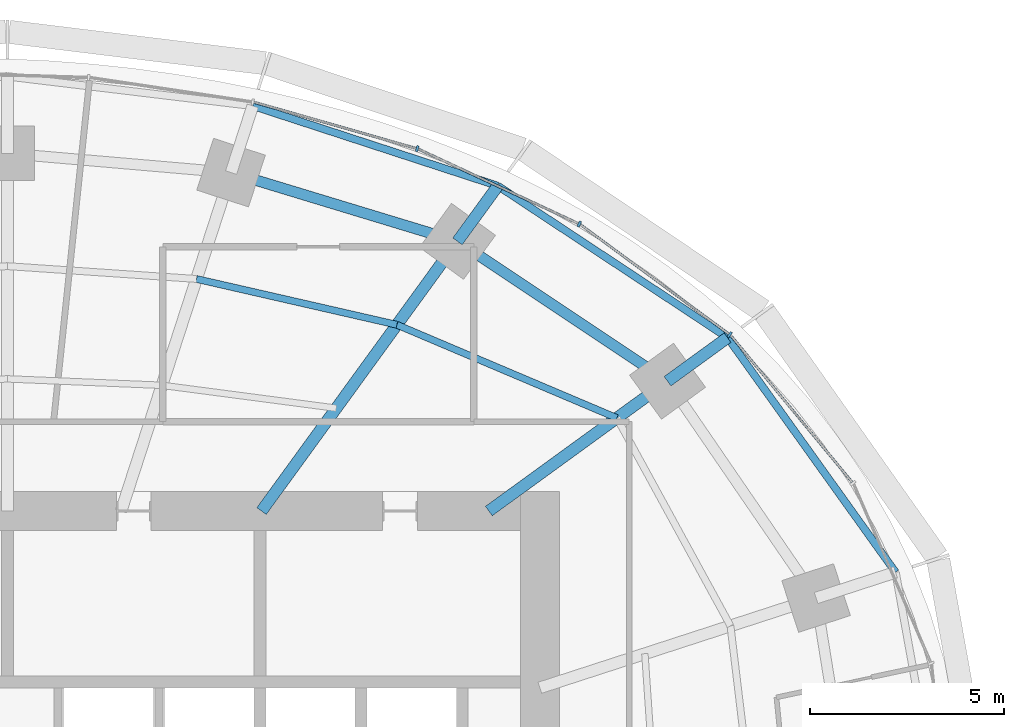
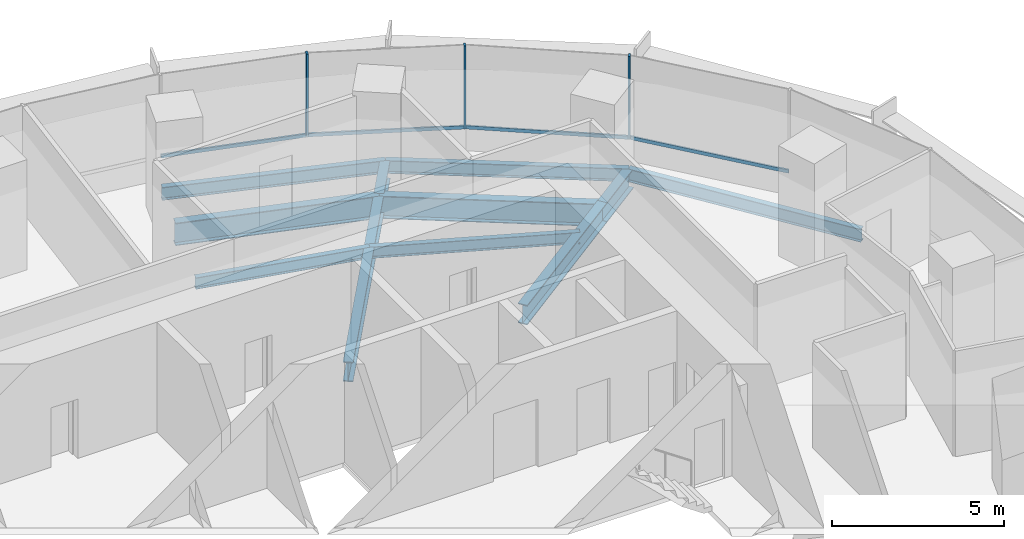
# One storey, part 8 of 14: 11 beams, 7 members, 2 elements without a shape of their own.
"""IFC4 building model written with IfcOpenShell, lengths in metres."""

from ifc_helpers import new_model, si_unit, direction, frame, origin, origin_2d, place, context, subcontext, project, spatial, rectangle, i_section, extrude, material, material_profile, profile_set, type_object, element, aggregate, save


model = new_model("IFC4")

# Units and contexts
model_context = context("Model", 3, precision=1e-05, world=origin(), true_north=direction((0.0, 1.0)))
body_context = subcontext(model_context, "Body", "Model", "MODEL_VIEW")
ifc_project = project(units=[si_unit("LENGTHUNIT", "METRE"), si_unit("AREAUNIT", "SQUARE_METRE"), si_unit("VOLUMEUNIT", "CUBIC_METRE"), si_unit("PLANEANGLEUNIT", "RADIAN"), si_unit("MASSUNIT", "GRAM", prefix="KILO")], contexts=[model_context])

# Site, building, storey
site_placement = place(None, origin())
site = spatial("IfcSite", under=ifc_project, at=site_placement, CompositionType="ELEMENT")
building_placement = place(site_placement, origin())
building = spatial("IfcBuilding", under=site, at=building_placement, Name="Marramba Exchange Tower", CompositionType="ELEMENT")
storey_placement = place(building_placement, frame((0.0, 0.0, 176.0)))
storey = spatial("IfcBuildingStorey", under=building, at=storey_placement, Name="L42", CompositionType="ELEMENT", Elevation=176.0)

# Beams
ifc_material_1 = material(Name="Steel AS/NZS 3679.2 grade 300", Category="steel")
ifc_material_profile_1 = material_profile(ifc_material_1, i_section(OverallWidth=0.300048828125, OverallDepth=0.699951171875, WebThickness=0.010009765625, FlangeThickness=0.031982421875, at=origin_2d()), Name="700WB173")
ifc_profile_set_1 = profile_set([ifc_material_profile_1], Name="Steel AS/NZS 3679.2 grade 300")
beam_type_1 = type_object("IfcBeamType", Name="Cantilever girder 700WB173", PredefinedType="BEAM", material=ifc_profile_set_1)
beam_1_placement = place(storey_placement, frame((16.98583984375, 12.3408203125, -0.510009765625), z_axis=(0.808962750283, 0.587859905636, 0.0), x_axis=(-0.587859905636, 0.808962750283, 0.0)))
element("IfcBeam", 1, at=beam_1_placement, inside=storey, type_object=beam_type_1, Name="Cantilever girder L42 TC03", PredefinedType="BEAM", context=body_context, shape_type="SweptSolid", body=[
    extrude(i_section(OverallWidth=0.300048828125, OverallDepth=0.699951171875, WebThickness=0.010009765625, FlangeThickness=0.031982421875, at=origin_2d()), origin(), (0.0, 0.0, 1.0), 1.9091796875),
])
beam_2_placement = place(storey_placement, frame((11.581298828125, 15.9404296875, -0.510009765625), z_axis=(0.587817766387, 0.808993370504, 0.0), x_axis=(-0.808993370504, 0.587817766387, 0.0)))
element("IfcBeam", 2, at=beam_2_placement, inside=storey, type_object=beam_type_1, Name="Cantilever girder L42 TC04", PredefinedType="BEAM", context=body_context, shape_type="SweptSolid", body=[
    extrude(i_section(OverallWidth=0.300048828125, OverallDepth=0.699951171875, WebThickness=0.010009765625, FlangeThickness=0.031982421875, at=origin_2d()), origin(), (0.0, 0.0, 1.0), 1.763916015625),
])
ifc_material_2 = material(Name="Steel AS/NZS 3679.1 grade 300", Category="steel")
ifc_material_profile_2 = material_profile(ifc_material_2, i_section(OverallWidth=0.177978515625, OverallDepth=0.406005859375, WebThickness=0.0078125, FlangeThickness=0.0126953125, FilletRadius=0.011474609375, at=origin_2d()), Name="410UB59.7")
ifc_profile_set_2 = profile_set([ifc_material_profile_2], Name="Steel AS/NZS 3679.1 grade 300")
beam_type_2 = type_object("IfcBeamType", Name="Floor joist 410UB59.7", PredefinedType="JOIST", material=ifc_profile_set_2)
beam_3_placement = place(storey_placement, frame((15.682373046875, 11.393798828125, -0.363037109375), z_axis=(-0.920674336375, 0.390331610738, 0.0), x_axis=(-0.390331610738, -0.920674336375, 0.0)))
element("IfcBeam", 3, at=beam_3_placement, inside=storey, type_object=beam_type_2, Name="Joist L42 bay 03 row 2", PredefinedType="JOIST", context=body_context, shape_type="SweptSolid", body=[
    extrude(i_section(OverallWidth=0.177978515625, OverallDepth=0.406005859375, WebThickness=0.0078125, FlangeThickness=0.0126953125, FilletRadius=0.011474609375, at=origin_2d()), origin(), (0.0, 0.0, 1.0), 6.1484375),
])
beam_4_placement = place(storey_placement, frame((10.021728515625, 13.793701171875, -0.363037109375), z_axis=(-0.974859652292, 0.222819788916, 0.0), x_axis=(-0.222819788916, -0.974859652292, 0.0)))
element("IfcBeam", 4, at=beam_4_placement, inside=storey, type_object=beam_type_2, Name="Joist L42 bay 04 row 2", PredefinedType="JOIST", context=body_context, shape_type="SweptSolid", body=[
    extrude(i_section(OverallWidth=0.177978515625, OverallDepth=0.406005859375, WebThickness=0.0078125, FlangeThickness=0.0126953125, FilletRadius=0.011474609375, at=origin_2d()), origin(), (0.0, 0.0, 1.0), 5.2900390625),
])

# Curtain wall, members
ifc_material_3 = material(Name="Aluminium framing, bronze anodised", Category="aluminium")
curtain_wall_type = type_object("IfcCurtainWallType", Name="Office ribbon curtain wall", PredefinedType="USERDEFINED", material=ifc_material_3)
curtain_wall_1_placement = place(storey_placement, origin())
curtain_wall_1 = element("IfcCurtainWall", 5, at=curtain_wall_1_placement, inside=storey, type_object=curtain_wall_type, Name="Curtain wall CW4 L42 F01-F05", ObjectType="RIBBON CURTAIN WALL", PredefinedType="USERDEFINED")
ifc_material_4 = material(Name="Aluminium mullion, bronze anodised", Category="aluminium")
ifc_material_profile_3 = material_profile(ifc_material_4, rectangle(XDim=0.159912109375, YDim=0.06005859375, at=origin_2d()), Name="CW4 mullion 60x160")
ifc_profile_set_3 = profile_set([ifc_material_profile_3], Name="Aluminium mullion, bronze anodised")
member_type_1 = type_object("IfcMemberType", Name="Office ribbon curtain wall mullion", PredefinedType="MULLION", material=ifc_profile_set_3)
member_1_placement = place(storey_placement, frame((18.587158203125, 13.53955078125, 0.800048828125), z_axis=(0.0, 0.0, 1.0), x_axis=(-0.593441317494, -0.804877259395, 0.0)))
member_1 = element("IfcMember", 6, at=member_1_placement, type_object=member_type_1, Name="CW4 mullion 1", PredefinedType="MULLION", context=body_context, shape_type="SweptSolid", body=[
    extrude(rectangle(XDim=0.159912109375, YDim=0.06005859375, at=origin_2d()), origin(), (0.0, 0.0, 1.0), 2.93994140625),
])
member_2_placement = place(storey_placement, frame((14.7158203125, 16.386474609375, 0.800048828125), z_axis=(0.0, 0.0, 1.0), x_axis=(-0.422133006189, -0.906533907301, 0.0)))
member_2 = element("IfcMember", 7, at=member_2_placement, type_object=member_type_1, Name="CW4 mullion 1", PredefinedType="MULLION", context=body_context, shape_type="SweptSolid", body=[
    extrude(rectangle(XDim=0.159912109375, YDim=0.06005859375, at=origin_2d()), origin(), (0.0, 0.0, 1.0), 2.93994140625),
])

# Curtain wall, member
curtain_wall_2_placement = place(storey_placement, origin())
curtain_wall_2 = element("IfcCurtainWall", 8, at=curtain_wall_2_placement, inside=storey, type_object=curtain_wall_type, Name="Curtain wall CW4 L42 F06-F10", ObjectType="RIBBON CURTAIN WALL", PredefinedType="USERDEFINED")
member_3_placement = place(storey_placement, frame((10.54541015625, 18.3232421875, 0.800048828125), z_axis=(0.0, 0.0, 1.0), x_axis=(-0.274248164656, -0.961658954195, 0.0)))
member_3 = element("IfcMember", 9, at=member_3_placement, type_object=member_type_1, Name="CW4 mullion 1", PredefinedType="MULLION", context=body_context, shape_type="SweptSolid", body=[
    extrude(rectangle(XDim=0.159912109375, YDim=0.06005859375, at=origin_2d()), origin(), (0.0, 0.0, 1.0), 2.93994140625),
])

# Member
ifc_material_5 = material(Name="Aluminium transom, bronze anodised", Category="aluminium")
ifc_material_profile_4 = material_profile(ifc_material_5, rectangle(XDim=0.06005859375, YDim=0.1201171875, at=origin_2d()), Name="CW4 transom 60x120")
ifc_profile_set_4 = profile_set([ifc_material_profile_4], Name="Aluminium transom, bronze anodised")
member_type_2 = type_object("IfcMemberType", Name="Office ribbon curtain wall transom", PredefinedType="USERDEFINED", material=ifc_profile_set_4)
member_4_placement = place(storey_placement, frame((21.73779296875, 9.74169921875, 0.830078125), z_axis=(-0.637375191043, 0.770553609973, 0.0), x_axis=(-0.770553609973, -0.637375191043, 0.0)))
member_4 = element("IfcMember", 10, at=member_4_placement, type_object=member_type_2, Name="CW4 sill transom", ObjectType="TRANSOM", PredefinedType="USERDEFINED", context=body_context, shape_type="SweptSolid", body=[
    extrude(rectangle(XDim=0.06005859375, YDim=0.1201171875, at=origin_2d()), origin(), (0.0, 0.0, 1.0), 4.905517578125),
])

member_5_placement = place(storey_placement, frame((18.56298828125, 13.557373046875, 0.830078125), z_axis=(-0.804874780157, 0.593444680039, 0.0), x_axis=(-0.593444680039, -0.804874780157, 0.0)))
member_5 = element("IfcMember", 11, at=member_5_placement, type_object=member_type_2, Name="CW4 sill transom", ObjectType="TRANSOM", PredefinedType="USERDEFINED", context=body_context, shape_type="SweptSolid", body=[
    extrude(rectangle(XDim=0.06005859375, YDim=0.1201171875, at=origin_2d()), origin(), (0.0, 0.0, 1.0), 4.745849609375),
])

member_6_placement = place(storey_placement, frame((14.688720703125, 16.399169921875, 0.830078125), z_axis=(-0.906548348139, 0.422101992989, 0.0), x_axis=(-0.422101992989, -0.906548348139, 0.0)))
member_6 = element("IfcMember", 12, at=member_6_placement, type_object=member_type_2, Name="CW4 sill transom", ObjectType="TRANSOM", PredefinedType="USERDEFINED", context=body_context, shape_type="SweptSolid", body=[
    extrude(rectangle(XDim=0.06005859375, YDim=0.1201171875, at=origin_2d()), origin(), (0.0, 0.0, 1.0), 4.53857421875),
])

aggregate(curtain_wall_1, [member_4, member_1, member_5, member_2, member_6])

member_7_placement = place(storey_placement, frame((10.5166015625, 18.33154296875, 0.830078125), z_axis=(-0.961661807825, 0.274238158125, 0.0), x_axis=(-0.274238158125, -0.961661807825, 0.0)))
member_7 = element("IfcMember", 13, at=member_7_placement, type_object=member_type_2, Name="CW4 sill transom", ObjectType="TRANSOM", PredefinedType="USERDEFINED", context=body_context, shape_type="SweptSolid", body=[
    extrude(rectangle(XDim=0.06005859375, YDim=0.1201171875, at=origin_2d()), origin(), (0.0, 0.0, 1.0), 4.340087890625),
])

aggregate(curtain_wall_2, [member_3, member_7])

# Beams
ifc_material_profile_5 = material_profile(ifc_material_1, i_section(OverallWidth=0.300048828125, OverallDepth=0.699951171875, WebThickness=0.010009765625, FlangeThickness=0.031982421875, at=origin_2d()), Name="700WB173")
ifc_profile_set_5 = profile_set([ifc_material_profile_5], Name="Steel AS/NZS 3679.2 grade 300")
beam_type_3 = type_object("IfcBeamType", Name="Radial girder 700WB173", PredefinedType="BEAM", material=ifc_profile_set_5)
beam_5_placement = place(storey_placement, frame((12.387451171875, 9.0, -0.510009765625), z_axis=(0.809025746925, 0.587773205252, 0.0), x_axis=(-0.587773205252, 0.809025746925, 0.0)))
element("IfcBeam", 14, at=beam_5_placement, inside=storey, type_object=beam_type_3, Name="Radial girder L42 TC03", PredefinedType="BEAM", context=body_context, shape_type="SweptSolid", body=[
    extrude(i_section(OverallWidth=0.300048828125, OverallDepth=0.699951171875, WebThickness=0.010009765625, FlangeThickness=0.031982421875, at=origin_2d()), origin(), (0.0, 0.0, 1.0), 5.683837890625),
])
beam_6_placement = place(storey_placement, frame((6.538818359375, 9.0, -0.510009765625), z_axis=(0.587782439969, 0.80901903764, 0.0), x_axis=(-0.80901903764, 0.587782439969, 0.0)))
element("IfcBeam", 15, at=beam_6_placement, inside=storey, type_object=beam_type_3, Name="Radial girder L42 TC04", PredefinedType="BEAM", context=body_context, shape_type="SweptSolid", body=[
    extrude(i_section(OverallWidth=0.300048828125, OverallDepth=0.699951171875, WebThickness=0.010009765625, FlangeThickness=0.031982421875, at=origin_2d()), origin(), (0.0, 0.0, 1.0), 8.578857421875),
])
ifc_material_profile_6 = material_profile(ifc_material_1, i_section(OverallWidth=0.27490234375, OverallDepth=0.800048828125, WebThickness=0.010009765625, FlangeThickness=0.02490234375, at=origin_2d()), Name="800WB168")
ifc_profile_set_6 = profile_set([ifc_material_profile_6], Name="Steel AS/NZS 3679.2 grade 300")
beam_type_4 = type_object("IfcBeamType", Name="Ring beam 800WB168", PredefinedType="SPANDREL", material=ifc_profile_set_6)
beam_7_placement = place(storey_placement, frame((16.98583984375, 12.3408203125, -0.56005859375), z_axis=(-0.832293151443, 0.554335737673, 0.0), x_axis=(-0.554335737673, -0.832293151443, 0.0)))
element("IfcBeam", 16, at=beam_7_placement, inside=storey, type_object=beam_type_4, Name="Ring beam L42 TC03-TC04", PredefinedType="SPANDREL", context=body_context, shape_type="SweptSolid", body=[
    extrude(i_section(OverallWidth=0.27490234375, OverallDepth=0.800048828125, WebThickness=0.010009765625, FlangeThickness=0.02490234375, at=origin_2d()), origin(), (0.0, 0.0, 1.0), 6.49365234375),
])
beam_8_placement = place(storey_placement, frame((11.581298828125, 15.9404296875, -0.56005859375), z_axis=(-0.956924542524, 0.290336735387, 0.0), x_axis=(-0.290336735387, -0.956924542524, 0.0)))
element("IfcBeam", 17, at=beam_8_placement, inside=storey, type_object=beam_type_4, Name="Ring beam L42 TC04-TC05", PredefinedType="SPANDREL", context=body_context, shape_type="SweptSolid", body=[
    extrude(i_section(OverallWidth=0.27490234375, OverallDepth=0.800048828125, WebThickness=0.010009765625, FlangeThickness=0.02490234375, at=origin_2d()), origin(), (0.0, 0.0, 1.0), 6.089599609375),
])
ifc_material_profile_7 = material_profile(ifc_material_2, i_section(OverallWidth=0.19091796875, OverallDepth=0.4599609375, WebThickness=0.010009765625, FlangeThickness=0.01611328125, FilletRadius=0.011474609375, at=origin_2d()), Name="460UB82.1")
ifc_profile_set_7 = profile_set([ifc_material_profile_7], Name="Steel AS/NZS 3679.1 grade 300")
beam_type_5 = type_object("IfcBeamType", Name="Slab edge beam 460UB82.1", PredefinedType="SPANDREL", material=ifc_profile_set_7)
beam_9_placement = place(storey_placement, frame((22.853515625, 7.425537109375, -0.389892578125), z_axis=(-0.582189457885, 0.813053156398, 0.0), x_axis=(-0.813053156398, -0.582189457885, 0.0)))
element("IfcBeam", 18, at=beam_9_placement, inside=storey, type_object=beam_type_5, Name="Slab edge beam L42 TC02-TC03", PredefinedType="SPANDREL", context=body_context, shape_type="SweptSolid", body=[
    extrude(i_section(OverallWidth=0.19091796875, OverallDepth=0.4599609375, WebThickness=0.010009765625, FlangeThickness=0.01611328125, FilletRadius=0.011474609375, at=origin_2d()), origin(), (0.0, 0.0, 1.0), 7.42578125),
])
beam_10_placement = place(storey_placement, frame((18.5302734375, 13.463134765625, -0.389892578125), z_axis=(-0.834459826117, 0.551068778463, 0.0), x_axis=(-0.551068778463, -0.834459826117, 0.0)))
element("IfcBeam", 19, at=beam_10_placement, inside=storey, type_object=beam_type_5, Name="Slab edge beam L42 TC03-TC04", PredefinedType="SPANDREL", context=body_context, shape_type="SweptSolid", body=[
    extrude(i_section(OverallWidth=0.19091796875, OverallDepth=0.4599609375, WebThickness=0.010009765625, FlangeThickness=0.01611328125, FilletRadius=0.011474609375, at=origin_2d()), origin(), (0.0, 0.0, 1.0), 7.0849609375),
])
beam_11_placement = place(storey_placement, frame((12.6181640625, 17.367431640625, -0.389892578125), z_axis=(-0.950608559101, 0.310392279809, 0.0), x_axis=(-0.310392279809, -0.950608559101, 0.0)))
element("IfcBeam", 20, at=beam_11_placement, inside=storey, type_object=beam_type_5, Name="Slab edge beam L42 TC04-TC05", PredefinedType="SPANDREL", context=body_context, shape_type="SweptSolid", body=[
    extrude(i_section(OverallWidth=0.19091796875, OverallDepth=0.4599609375, WebThickness=0.010009765625, FlangeThickness=0.01611328125, FilletRadius=0.011474609375, at=origin_2d()), origin(), (0.0, 0.0, 1.0), 6.6337890625),
])

save(model, "model.ifc")
